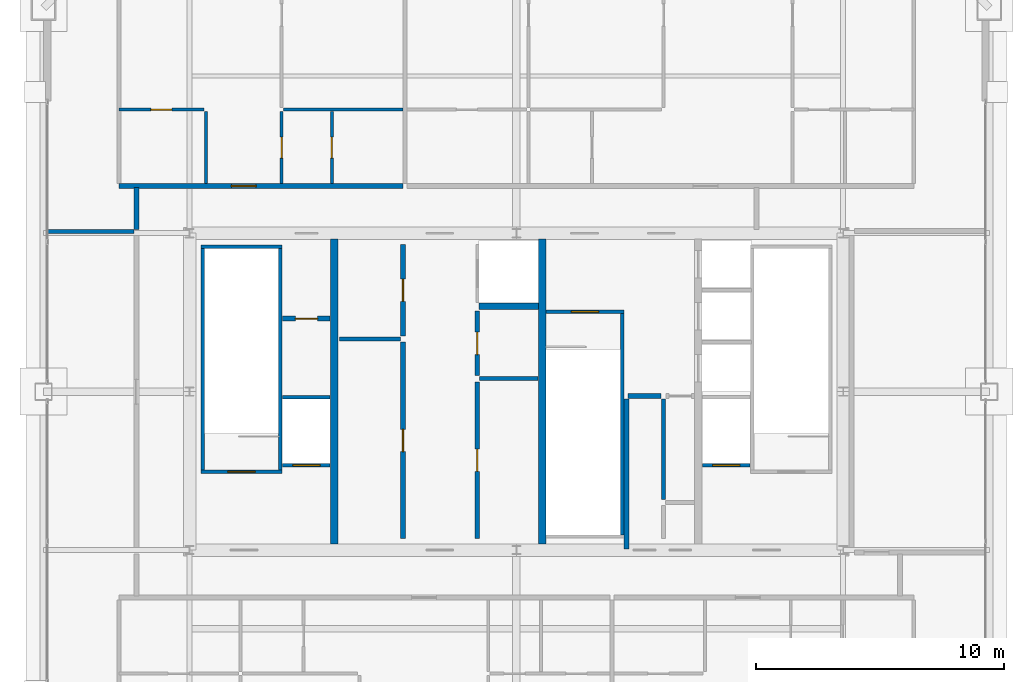
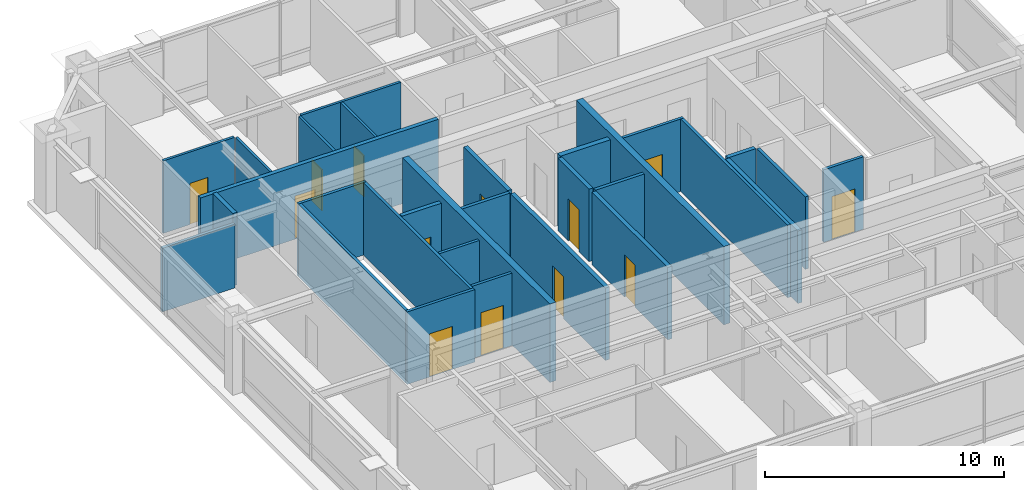
# One storey, part 31 of 34: 30 walls, 13 doors, 13 openings.
"""IFC4 building model written with IfcOpenShell, lengths in metres."""

from ifc_helpers import new_model, si_unit, direction, frame, frame_2d, origin, place, context, subcontext, project, spatial, rectangle, extrude, source, transform, mapped, material, layer, layer_set, type_object, element, fill, save


model = new_model("IFC4")

# Units and contexts
model_context = context("Model", 3, precision=1e-05, world=origin(), true_north=direction((0.0, 1.0)))
body_context = subcontext(model_context, "Body", "Model", "MODEL_VIEW")
ifc_project = project(units=[si_unit("LENGTHUNIT", "METRE"), si_unit("AREAUNIT", "SQUARE_METRE"), si_unit("VOLUMEUNIT", "CUBIC_METRE"), si_unit("PLANEANGLEUNIT", "RADIAN"), si_unit("MASSUNIT", "GRAM", prefix="KILO"), si_unit("THERMODYNAMICTEMPERATUREUNIT", "KELVIN"), si_unit("POWERUNIT", "WATT")], contexts=[model_context])

# Site, building, storey
site_placement = place(None, origin())
site = spatial("IfcSite", under=ifc_project, at=site_placement, CompositionType="ELEMENT")
building_placement = place(site_placement, origin())
building = spatial("IfcBuilding", under=site, at=building_placement, Name="Yuzanri Waterfront Tower", CompositionType="ELEMENT")
storey_placement = place(building_placement, frame((0.0, 0.0, 347.199951171875)))
storey = spatial("IfcBuildingStorey", under=building, at=storey_placement, Name="L93", CompositionType="ELEMENT", Elevation=347.199951171875)

# Wall, opening, door
ifc_material_1 = material(Name="Moisture-Resistant Gypsum Stud Wall", Category="gypsum")
ifc_layer_1 = layer(ifc_material_1, 0.1201171875)
ifc_layer_set_1 = layer_set([ifc_layer_1], Name="Moisture-Resistant Gypsum Stud Wall")
wall_type_1 = type_object("IfcWallType", Name="Bathroom and Kitchen Wet Partition 120", PredefinedType="PARTITIONING", material=ifc_layer_set_1)
wall_1_placement = place(storey_placement, frame((20.93994140625, 37.18994140625, 0.0), z_axis=(0.0, 0.0, 1.0), x_axis=(1.0, 0.0, 0.0)))
wall_1 = element("IfcWall", 1, at=wall_1_placement, inside=storey, type_object=wall_type_1, Name="L93 Partition UW-L93-HN1-SUB-1-N", PredefinedType="PARTITIONING", context=body_context, shape_type="SweptSolid", body=[
    extrude(rectangle(XDim=3.445068359375, YDim=0.1201171875, at=frame_2d((1.72265625, 0.0))), origin(), (0.0, 0.0, 1.0), 3.699951171875),
])
opening_1_placement = place(wall_1_placement, frame((1.297607421875, 0.0, 0.0)))
opening_1 = element("IfcOpeningElement", 2, at=opening_1_placement, cuts=wall_1, Name="Opening ID-0850", PredefinedType="OPENING", context=body_context, shape_type="SweptSolid", body=[
    extrude(rectangle(XDim=0.85009765625, YDim=2.10009765625, at=frame_2d((0.425048828125, 1.050048828125))), frame((0.0, 0.074951171875, 0.0), z_axis=(0.0, -1.0, 0.0), x_axis=(1.0, 0.0, 0.0)), (0.0, 0.0, 1.0), 0.14990234375),
])
ifc_material_2 = material(Name="Moisture-Resistant Lacquered Timber", Category="wood")
door_type_1 = type_object("IfcDoorType", Name="En-Suite Bathroom and Kitchen Swing Door 850x2100", OperationType="NOTDEFINED", PredefinedType="DOOR", material=ifc_material_2)
shared_shape_1 = source(origin(), body_context, "Body", "SweptSolid", [
    extrude(rectangle(XDim=0.85009765625, YDim=2.10009765625, at=frame_2d((0.425048828125, 1.050048828125))), frame((0.0, 0.02490234375, 0.0), z_axis=(0.0, -1.0, 0.0), x_axis=(1.0, 0.0, 0.0)), (0.0, 0.0, 1.0), 0.050048828125),
])
door_1_placement = place(opening_1_placement, origin())
door_1 = element("IfcDoor", 3, at=door_1_placement, inside=storey, type_object=door_type_1, Name="L93 Suite Interior Room Door", OperationType="SINGLE_SWING_RIGHT", OverallHeight=2.10009765625, OverallWidth=0.85009765625, PredefinedType="DOOR", context=body_context, shape_type="MappedRepresentation", body=[
    mapped(shared_shape_1, transform((0.0, 0.0, 0.0), scale=1.0)),
])
fill(opening_1, door_1)

wall_2_placement = place(storey_placement, frame((29.54296875, 34.2099609375, 0.0), z_axis=(0.0, 0.0, 1.0), x_axis=(0.0, 1.0, 0.0)))
wall_2 = element("IfcWall", 4, at=wall_2_placement, inside=storey, type_object=wall_type_1, Name="L93 Partition UW-L93-HN1-SUB-2-W", PredefinedType="PARTITIONING", context=body_context, shape_type="SweptSolid", body=[
    extrude(rectangle(XDim=2.900146484375, YDim=0.1201171875, at=frame_2d((1.4501953125, 0.0))), origin(), (0.0, 0.0, 1.0), 3.699951171875),
])
opening_2_placement = place(wall_2_placement, frame((1.02490234375, 0.0, 0.0)))
opening_2 = element("IfcOpeningElement", 5, at=opening_2_placement, cuts=wall_2, Name="Opening ID-0850", PredefinedType="OPENING", context=body_context, shape_type="SweptSolid", body=[
    extrude(rectangle(XDim=0.85009765625, YDim=2.10009765625, at=frame_2d((0.425048828125, 1.050048828125))), frame((0.0, 0.074951171875, 0.0), z_axis=(0.0, -1.0, 0.0), x_axis=(1.0, 0.0, 0.0)), (0.0, 0.0, 1.0), 0.14990234375),
])
door_2_placement = place(opening_2_placement, origin())
door_2 = element("IfcDoor", 6, at=door_2_placement, inside=storey, type_object=door_type_1, Name="L93 Suite Interior Room Door", OperationType="SINGLE_SWING_LEFT", OverallHeight=2.10009765625, OverallWidth=0.85009765625, PredefinedType="DOOR", context=body_context, shape_type="MappedRepresentation", body=[
    mapped(shared_shape_1, transform((0.0, 0.0, 0.0), scale=1.0)),
])
fill(opening_2, door_2)

wall_3_placement = place(storey_placement, frame((27.52001953125, 34.2099609375, 0.0), z_axis=(0.0, 0.0, 1.0), x_axis=(0.0, 1.0, 0.0)))
wall_3 = element("IfcWall", 7, at=wall_3_placement, inside=storey, type_object=wall_type_1, Name="L93 Partition UW-L93-HN1-SUB-4-W", PredefinedType="PARTITIONING", context=body_context, shape_type="SweptSolid", body=[
    extrude(rectangle(XDim=2.900146484375, YDim=0.1201171875, at=frame_2d((1.4501953125, 0.0))), origin(), (0.0, 0.0, 1.0), 3.699951171875),
])
opening_3_placement = place(wall_3_placement, frame((1.02490234375, 0.0, 0.0)))
opening_3 = element("IfcOpeningElement", 8, at=opening_3_placement, cuts=wall_3, Name="Opening ID-0850", PredefinedType="OPENING", context=body_context, shape_type="SweptSolid", body=[
    extrude(rectangle(XDim=0.85009765625, YDim=2.10009765625, at=frame_2d((0.425048828125, 1.050048828125))), frame((0.0, 0.074951171875, 0.0), z_axis=(0.0, -1.0, 0.0), x_axis=(1.0, 0.0, 0.0)), (0.0, 0.0, 1.0), 0.14990234375),
])
door_3_placement = place(opening_3_placement, origin())
door_3 = element("IfcDoor", 9, at=door_3_placement, inside=storey, type_object=door_type_1, Name="L93 Suite Interior Room Door", OperationType="SINGLE_SWING_LEFT", OverallHeight=2.10009765625, OverallWidth=0.85009765625, PredefinedType="DOOR", context=body_context, shape_type="MappedRepresentation", body=[
    mapped(shared_shape_1, transform((0.0, 0.0, 0.0), scale=1.0)),
])
fill(opening_3, door_3)

ifc_material_3 = material(Name="Concrete C40", Category="concrete")
ifc_layer_2 = layer(ifc_material_3, 0.139892578125)
ifc_layer_set_2 = layer_set([ifc_layer_2], Name="Concrete C40")
wall_type_2 = type_object("IfcWallType", Name="Core Stair Liner and Hoistway Shaft Wall 140", PredefinedType="SOLIDWALL", material=ifc_layer_set_2)
wall_4_placement = place(storey_placement, frame((27.56005859375, 22.830078125, 0.0), z_axis=(0.0, 0.0, 1.0), x_axis=(1.0, 0.0, 0.0)))
wall_4 = element("IfcWall", 10, at=wall_4_placement, inside=storey, type_object=wall_type_2, Name="L93 Lift FL-01 Front Shaft Wall", PredefinedType="SOLIDWALL", context=body_context, shape_type="SweptSolid", body=[
    extrude(rectangle(XDim=1.919921875, YDim=0.139892578125, at=frame_2d((0.9599609375, 0.0))), origin(), (0.0, 0.0, 1.0), 3.699951171875),
])
opening_4_placement = place(wall_4_placement, frame((0.409912109375, 0.0, 0.0)))
opening_4 = element("IfcOpeningElement", 11, at=opening_4_placement, cuts=wall_4, Name="Opening LD-FL-01", PredefinedType="OPENING", context=body_context, shape_type="SweptSolid", body=[
    extrude(rectangle(XDim=1.10009765625, YDim=2.199951171875, at=frame_2d((0.550048828125, 1.10009765625))), frame((0.0, 0.0849609375, 0.0), z_axis=(0.0, -1.0, 0.0), x_axis=(1.0, 0.0, 0.0)), (0.0, 0.0, 1.0), 0.169677734375),
])
ifc_material_4 = material(Name="Brushed Bronze and Stainless Steel Cab", Category="steel")
door_type_2 = type_object("IfcDoorType", Name="Center-Parting Bronze Lift Landing Sliding Door 1100x2200", OperationType="NOTDEFINED", PredefinedType="DOOR", material=ifc_material_4)
shared_shape_2 = source(origin(), body_context, "Body", "SweptSolid", [
    extrude(rectangle(XDim=1.10009765625, YDim=2.199951171875, at=frame_2d((0.550048828125, 1.10009765625))), frame((0.0, 0.02490234375, 0.0), z_axis=(0.0, -1.0, 0.0), x_axis=(1.0, 0.0, 0.0)), (0.0, 0.0, 1.0), 0.050048828125),
])
door_4_placement = place(opening_4_placement, origin())
door_4 = element("IfcDoor", 12, at=door_4_placement, inside=storey, type_object=door_type_2, Name="L93 FL-01 Lift Landing Sliding Door", OperationType="SLIDING_TO_LEFT", OverallHeight=2.199951171875, OverallWidth=1.10009765625, PredefinedType="DOOR", context=body_context, shape_type="MappedRepresentation", body=[
    mapped(shared_shape_2, transform((0.0, 0.0, 0.0), scale=1.0)),
])
fill(opening_4, door_4)

wall_5_placement = place(storey_placement, frame((44.52001953125, 22.830078125, 0.0), z_axis=(0.0, 0.0, 1.0), x_axis=(1.0, 0.0, 0.0)))
wall_5 = element("IfcWall", 13, at=wall_5_placement, inside=storey, type_object=wall_type_2, Name="L93 Lift FL-02 Front Shaft Wall", PredefinedType="SOLIDWALL", context=body_context, shape_type="SweptSolid", body=[
    extrude(rectangle(XDim=1.919921875, YDim=0.139892578125, at=frame_2d((0.9599609375, 0.0))), origin(), (0.0, 0.0, 1.0), 3.699951171875),
])
opening_5_placement = place(wall_5_placement, frame((0.409912109375, 0.0, 0.0)))
opening_5 = element("IfcOpeningElement", 14, at=opening_5_placement, cuts=wall_5, Name="Opening LD-FL-02", PredefinedType="OPENING", context=body_context, shape_type="SweptSolid", body=[
    extrude(rectangle(XDim=1.10009765625, YDim=2.199951171875, at=frame_2d((0.550048828125, 1.10009765625))), frame((0.0, 0.0849609375, 0.0), z_axis=(0.0, -1.0, 0.0), x_axis=(1.0, 0.0, 0.0)), (0.0, 0.0, 1.0), 0.169677734375),
])
door_5_placement = place(opening_5_placement, origin())
door_5 = element("IfcDoor", 15, at=door_5_placement, inside=storey, type_object=door_type_2, Name="L93 FL-02 Lift Landing Sliding Door", OperationType="SLIDING_TO_RIGHT", OverallHeight=2.199951171875, OverallWidth=1.10009765625, PredefinedType="DOOR", context=body_context, shape_type="MappedRepresentation", body=[
    mapped(shared_shape_2, transform((0.0, 0.0, 0.0), scale=1.0)),
])
fill(opening_5, door_5)

wall_6_placement = place(storey_placement, frame((24.260009765625, 22.570068359375, 0.0), z_axis=(0.0, 0.0, 1.0), x_axis=(1.0, 0.0, 0.0)))
wall_6 = element("IfcWall", 16, at=wall_6_placement, inside=storey, type_object=wall_type_2, Name="L93 Shaft Wall STW-L93-ST-01-S", PredefinedType="SOLIDWALL", context=body_context, shape_type="SweptSolid", body=[
    extrude(rectangle(XDim=3.280029296875, YDim=0.139892578125, at=frame_2d((1.64013671875, 0.0))), origin(), (0.0, 0.0, 1.0), 3.699951171875),
])
opening_6_placement = place(wall_6_placement, frame((1.090087890625, 0.0, 0.0)))
opening_6 = element("IfcOpeningElement", 17, at=opening_6_placement, cuts=wall_6, Name="Opening FD-1100", PredefinedType="OPENING", context=body_context, shape_type="SweptSolid", body=[
    extrude(rectangle(XDim=1.10009765625, YDim=2.199951171875, at=frame_2d((0.550048828125, 1.10009765625))), frame((0.0, 0.0849609375, 0.0), z_axis=(0.0, -1.0, 0.0), x_axis=(1.0, 0.0, 0.0)), (0.0, 0.0, 1.0), 0.169677734375),
])
ifc_material_5 = material(Name="Painted Galvanized Fire Steel", Category="steel")
door_type_3 = type_object("IfcDoorType", Name="Smoke-Proof Stair and Lobby Fire Door 1100x2200", OperationType="NOTDEFINED", PredefinedType="DOOR", material=ifc_material_5)
shared_shape_3 = source(origin(), body_context, "Body", "SweptSolid", [
    extrude(rectangle(XDim=1.10009765625, YDim=2.199951171875, at=frame_2d((0.550048828125, 1.10009765625))), frame((0.0, 0.02490234375, 0.0), z_axis=(0.0, -1.0, 0.0), x_axis=(1.0, 0.0, 0.0)), (0.0, 0.0, 1.0), 0.050048828125),
])
door_6_placement = place(opening_6_placement, origin())
door_6 = element("IfcDoor", 18, at=door_6_placement, inside=storey, type_object=door_type_3, Name="L93 Stair ST-01 Fire Door", OperationType="SINGLE_SWING_RIGHT", OverallHeight=2.199951171875, OverallWidth=1.10009765625, PredefinedType="DOOR", context=body_context, shape_type="MappedRepresentation", body=[
    mapped(shared_shape_3, transform((0.0, 0.0, 0.0), scale=1.0)),
])
fill(opening_6, door_6)

wall_7_placement = place(storey_placement, frame((38.199951171875, 29.030029296875, 0.0), z_axis=(0.0, 0.0, 1.0), x_axis=(1.0, 0.0, 0.0)))
wall_7 = element("IfcWall", 19, at=wall_7_placement, inside=storey, type_object=wall_type_2, Name="L93 Shaft Wall STW-L93-ST-03-N", PredefinedType="SOLIDWALL", context=body_context, shape_type="SweptSolid", body=[
    extrude(rectangle(XDim=3.14013671875, YDim=0.139892578125, at=frame_2d((1.570068359375, 0.0))), origin(), (0.0, 0.0, 1.0), 3.699951171875),
])
opening_7_placement = place(wall_7_placement, frame((1.02001953125, 0.0, 0.0)))
opening_7 = element("IfcOpeningElement", 20, at=opening_7_placement, cuts=wall_7, Name="Opening FD-1100", PredefinedType="OPENING", context=body_context, shape_type="SweptSolid", body=[
    extrude(rectangle(XDim=1.10009765625, YDim=2.199951171875, at=frame_2d((0.550048828125, 1.10009765625))), frame((0.0, 0.0849609375, 0.0), z_axis=(0.0, -1.0, 0.0), x_axis=(1.0, 0.0, 0.0)), (0.0, 0.0, 1.0), 0.169677734375),
])
door_7_placement = place(opening_7_placement, origin())
door_7 = element("IfcDoor", 21, at=door_7_placement, inside=storey, type_object=door_type_3, Name="L93 Stair ST-03 Fire Door", OperationType="SINGLE_SWING_RIGHT", OverallHeight=2.199951171875, OverallWidth=1.10009765625, PredefinedType="DOOR", context=body_context, shape_type="MappedRepresentation", body=[
    mapped(shared_shape_3, transform((0.0, 0.0, 0.0), scale=1.0)),
])
fill(opening_7, door_7)

ifc_material_6 = material(Name="Autoclaved Aerated Concrete Blockwork", Category="masonry")
ifc_layer_3 = layer(ifc_material_6, 0.199951171875)
ifc_layer_set_3 = layer_set([ifc_layer_3], Name="Autoclaved Aerated Concrete Blockwork")
wall_type_3 = type_object("IfcWallType", Name="Corridor and Unit Party Fire Wall 200", PredefinedType="PARTITIONING", material=ifc_layer_set_3)
wall_8_placement = place(storey_placement, frame((27.56005859375, 28.75, 0.0), z_axis=(0.0, 0.0, 1.0), x_axis=(1.0, 0.0, 0.0)))
wall_8 = element("IfcWall", 22, at=wall_8_placement, inside=storey, type_object=wall_type_3, Name="L93 Partition CRW-L93-ERTR", PredefinedType="PARTITIONING", context=body_context, shape_type="SweptSolid", body=[
    extrude(rectangle(XDim=1.919921875, YDim=0.199951171875, at=frame_2d((0.9599609375, 0.0))), origin(), (0.0, 0.0, 1.0), 3.699951171875),
])
opening_8_placement = place(wall_8_placement, frame((0.510009765625, 0.0, 0.0)))
opening_8 = element("IfcOpeningElement", 23, at=opening_8_placement, cuts=wall_8, Name="Opening FD-0900", PredefinedType="OPENING", context=body_context, shape_type="SweptSolid", body=[
    extrude(rectangle(XDim=0.89990234375, YDim=2.14990234375, at=frame_2d((0.449951171875, 1.074951171875))), frame((0.0, 0.11474609375, 0.0), z_axis=(0.0, -1.0, 0.0), x_axis=(1.0, 0.0, 0.0)), (0.0, 0.0, 1.0), 0.229736328125),
])
ifc_material_7 = material(Name="Painted Galvanized Fire Steel", Category="steel")
door_type_4 = type_object("IfcDoorType", Name="Riser and Service Room Fire Door 900x2150", OperationType="NOTDEFINED", PredefinedType="DOOR", material=ifc_material_7)
shared_shape_4 = source(origin(), body_context, "Body", "SweptSolid", [
    extrude(rectangle(XDim=0.89990234375, YDim=2.14990234375, at=frame_2d((0.449951171875, 1.074951171875))), frame((0.0, 0.02490234375, 0.0), z_axis=(0.0, -1.0, 0.0), x_axis=(1.0, 0.0, 0.0)), (0.0, 0.0, 1.0), 0.050048828125),
])
door_8_placement = place(opening_8_placement, origin())
door_8 = element("IfcDoor", 24, at=door_8_placement, inside=storey, type_object=door_type_4, Name="L93 Electrical Riser Door", OperationType="SINGLE_SWING_RIGHT", OverallHeight=2.14990234375, OverallWidth=0.89990234375, PredefinedType="DOOR", context=body_context, shape_type="MappedRepresentation", body=[
    mapped(shared_shape_4, transform((0.0, 0.0, 0.0), scale=1.0)),
])
fill(opening_8, door_8)

wall_9_placement = place(storey_placement, frame((32.419921875, 19.860107421875, 0.0), z_axis=(0.0, 0.0, 1.0), x_axis=(0.0, 1.0, 0.0)))
wall_9 = element("IfcWall", 25, at=wall_9_placement, inside=storey, type_object=wall_type_3, Name="L93 Partition CRW-L93-B1R-1", PredefinedType="PARTITIONING", context=body_context, shape_type="SweptSolid", body=[
    extrude(rectangle(XDim=7.93994140625, YDim=0.199951171875, at=frame_2d((3.969970703125, 0.0))), origin(), (0.0, 0.0, 1.0), 3.699951171875),
])
opening_9_placement = place(wall_9_placement, frame((3.52001953125, 0.0, 0.0)))
opening_9 = element("IfcOpeningElement", 26, at=opening_9_placement, cuts=wall_9, Name="Opening FD-0900", PredefinedType="OPENING", context=body_context, shape_type="SweptSolid", body=[
    extrude(rectangle(XDim=0.89990234375, YDim=2.14990234375, at=frame_2d((0.449951171875, 1.074951171875))), frame((0.0, 0.11474609375, 0.0), z_axis=(0.0, -1.0, 0.0), x_axis=(1.0, 0.0, 0.0)), (0.0, 0.0, 1.0), 0.229736328125),
])
door_9_placement = place(opening_9_placement, origin())
door_9 = element("IfcDoor", 27, at=door_9_placement, inside=storey, type_object=door_type_4, Name="L93 General Store Room", OperationType="SINGLE_SWING_LEFT", OverallHeight=2.14990234375, OverallWidth=0.89990234375, PredefinedType="DOOR", context=body_context, shape_type="MappedRepresentation", body=[
    mapped(shared_shape_4, transform((0.0, 0.0, 0.0), scale=1.0)),
])
fill(opening_9, door_9)

wall_10_placement = place(storey_placement, frame((32.419921875, 28.050048828125, 0.0), z_axis=(0.0, 0.0, 1.0), x_axis=(0.0, 1.0, 0.0)))
wall_10 = element("IfcWall", 28, at=wall_10_placement, inside=storey, type_object=wall_type_3, Name="L93 Partition CRW-L93-B1R-2", PredefinedType="PARTITIONING", context=body_context, shape_type="SweptSolid", body=[
    extrude(rectangle(XDim=3.68994140625, YDim=0.199951171875, at=frame_2d((1.844970703125, 0.0))), origin(), (0.0, 0.0, 1.0), 3.699951171875),
])
opening_10_placement = place(wall_10_placement, frame((1.39501953125, 0.0, 0.0)))
opening_10 = element("IfcOpeningElement", 29, at=opening_10_placement, cuts=wall_10, Name="Opening FD-0900", PredefinedType="OPENING", context=body_context, shape_type="SweptSolid", body=[
    extrude(rectangle(XDim=0.89990234375, YDim=2.14990234375, at=frame_2d((0.449951171875, 1.074951171875))), frame((0.0, 0.11474609375, 0.0), z_axis=(0.0, -1.0, 0.0), x_axis=(1.0, 0.0, 0.0)), (0.0, 0.0, 1.0), 0.229736328125),
])
door_10_placement = place(opening_10_placement, origin())
door_10 = element("IfcDoor", 30, at=door_10_placement, inside=storey, type_object=door_type_4, Name="L93 Water Riser Shaft", OperationType="SINGLE_SWING_RIGHT", OverallHeight=2.14990234375, OverallWidth=0.89990234375, PredefinedType="DOOR", context=body_context, shape_type="MappedRepresentation", body=[
    mapped(shared_shape_4, transform((0.0, 0.0, 0.0), scale=1.0)),
])
fill(opening_10, door_10)

wall_11_placement = place(storey_placement, frame((35.419921875, 19.860107421875, 0.0), z_axis=(0.0, 0.0, 1.0), x_axis=(0.0, 1.0, 0.0)))
wall_11 = element("IfcWall", 31, at=wall_11_placement, inside=storey, type_object=wall_type_3, Name="L93 Partition CRW-L93-B2R-1", PredefinedType="PARTITIONING", context=body_context, shape_type="SweptSolid", body=[
    extrude(rectangle(XDim=6.33984375, YDim=0.199951171875, at=frame_2d((3.169921875, 0.0))), origin(), (0.0, 0.0, 1.0), 3.699951171875),
])
opening_11_placement = place(wall_11_placement, frame((2.719970703125, 0.0, 0.0)))
opening_11 = element("IfcOpeningElement", 32, at=opening_11_placement, cuts=wall_11, Name="Opening FD-0900", PredefinedType="OPENING", context=body_context, shape_type="SweptSolid", body=[
    extrude(rectangle(XDim=0.89990234375, YDim=2.14990234375, at=frame_2d((0.449951171875, 1.074951171875))), frame((0.0, 0.11474609375, 0.0), z_axis=(0.0, -1.0, 0.0), x_axis=(1.0, 0.0, 0.0)), (0.0, 0.0, 1.0), 0.229736328125),
])
door_11_placement = place(opening_11_placement, origin())
door_11 = element("IfcDoor", 33, at=door_11_placement, inside=storey, type_object=door_type_4, Name="L93 Upper Service Store Room", OperationType="SINGLE_SWING_LEFT", OverallHeight=2.14990234375, OverallWidth=0.89990234375, PredefinedType="DOOR", context=body_context, shape_type="MappedRepresentation", body=[
    mapped(shared_shape_4, transform((0.0, 0.0, 0.0), scale=1.0)),
])
fill(opening_11, door_11)

wall_12_placement = place(storey_placement, frame((35.419921875, 26.449951171875, 0.0), z_axis=(0.0, 0.0, 1.0), x_axis=(0.0, 1.0, 0.0)))
wall_12 = element("IfcWall", 34, at=wall_12_placement, inside=storey, type_object=wall_type_3, Name="L93 Partition CRW-L93-B2R-2", PredefinedType="PARTITIONING", context=body_context, shape_type="SweptSolid", body=[
    extrude(rectangle(XDim=2.60009765625, YDim=0.199951171875, at=frame_2d((1.300048828125, 0.0))), origin(), (0.0, 0.0, 1.0), 3.699951171875),
])
opening_12_placement = place(wall_12_placement, frame((0.85009765625, 0.0, 0.0)))
opening_12 = element("IfcOpeningElement", 35, at=opening_12_placement, cuts=wall_12, Name="Opening FD-0900", PredefinedType="OPENING", context=body_context, shape_type="SweptSolid", body=[
    extrude(rectangle(XDim=0.89990234375, YDim=2.14990234375, at=frame_2d((0.449951171875, 1.074951171875))), frame((0.0, 0.11474609375, 0.0), z_axis=(0.0, -1.0, 0.0), x_axis=(1.0, 0.0, 0.0)), (0.0, 0.0, 1.0), 0.229736328125),
])
door_12_placement = place(opening_12_placement, origin())
door_12 = element("IfcDoor", 36, at=door_12_placement, inside=storey, type_object=door_type_4, Name="L93 Meter and Valve Store Room", OperationType="SINGLE_SWING_RIGHT", OverallHeight=2.14990234375, OverallWidth=0.89990234375, PredefinedType="DOOR", context=body_context, shape_type="MappedRepresentation", body=[
    mapped(shared_shape_4, transform((0.0, 0.0, 0.0), scale=1.0)),
])
fill(opening_12, door_12)

wall_13_placement = place(storey_placement, frame((20.93994140625, 34.110107421875, 0.0), z_axis=(0.0, 0.0, 1.0), x_axis=(1.0, 0.0, 0.0)))
wall_13 = element("IfcWall", 37, at=wall_13_placement, inside=storey, type_object=wall_type_3, Name="L93 Partition UW-L93-HN1-CS", PredefinedType="PARTITIONING", context=body_context, shape_type="SweptSolid", body=[
    extrude(rectangle(XDim=11.483154296875, YDim=0.199951171875, at=frame_2d((5.74169921875, 0.0))), origin(), (0.0, 0.0, 1.0), 3.699951171875),
])
opening_13_placement = place(wall_13_placement, frame((4.552001953125, 0.0, 0.0)))
opening_13 = element("IfcOpeningElement", 38, at=opening_13_placement, cuts=wall_13, Name="Opening FD-1000", PredefinedType="OPENING", context=body_context, shape_type="SweptSolid", body=[
    extrude(rectangle(XDim=1.0, YDim=2.199951171875, at=frame_2d((0.5, 1.10009765625))), frame((0.0, 0.11474609375, 0.0), z_axis=(0.0, -1.0, 0.0), x_axis=(1.0, 0.0, 0.0)), (0.0, 0.0, 1.0), 0.229736328125),
])
ifc_material_8 = material(Name="Engineered Oak Fire-Rated Timber", Category="wood")
door_type_5 = type_object("IfcDoorType", Name="Guestroom and Apartment Entrance Fire Door 1000x2200", OperationType="NOTDEFINED", PredefinedType="DOOR", material=ifc_material_8)
shared_shape_5 = source(origin(), body_context, "Body", "SweptSolid", [
    extrude(rectangle(XDim=1.0, YDim=2.199951171875, at=frame_2d((0.5, 1.10009765625))), frame((0.0, 0.02490234375, 0.0), z_axis=(0.0, -1.0, 0.0), x_axis=(1.0, 0.0, 0.0)), (0.0, 0.0, 1.0), 0.050048828125),
])
door_13_placement = place(opening_13_placement, origin())
door_13 = element("IfcDoor", 39, at=door_13_placement, inside=storey, type_object=door_type_5, Name="L93 Apartment Living Room Entrance Door", OperationType="SINGLE_SWING_LEFT", OverallHeight=2.199951171875, OverallWidth=1.0, PredefinedType="DOOR", context=body_context, shape_type="MappedRepresentation", body=[
    mapped(shared_shape_5, transform((0.0, 0.0, 0.0), scale=1.0)),
])
fill(opening_13, door_13)

# Walls
ifc_material_9 = material(Name="Concrete C50", Category="concrete")
ifc_layer_4 = layer(ifc_material_9, 0.300048828125)
ifc_layer_set_4 = layer_set([ifc_layer_4], Name="Concrete C50")
wall_type_4 = type_object("IfcWallType", Name="Concrete C50 Internal Core Shaft Structural Wall 300", PredefinedType="SOLIDWALL", material=ifc_layer_set_4)
shared_shape_6 = source(origin(), body_context, "Body", "SweptSolid", [
    extrude(rectangle(XDim=12.320068359375, YDim=0.300048828125, at=frame_2d((6.16015625, 0.0))), origin(), (0.0, 0.0, 1.0), 4.0),
])
for number, where, z_axis, x_axis, name in (
    (40, (29.64990234375, 19.639892578125, 0.0), (0.0, 0.0, 1.0), (0.0, 1.0, 0.0), "L93 Core Internal Structural Web Wall 1"),
    (41, (38.050048828125, 19.639892578125, 0.0), (0.0, 0.0, 1.0), (0.0, 1.0, 0.0), "L93 Core Internal Structural Web Wall 2"),
):
    element("IfcWall", number, at=place(storey_placement, frame(where, z_axis=z_axis, x_axis=x_axis)), inside=storey, type_object=wall_type_4, Name=name, PredefinedType="SOLIDWALL", context=body_context, shape_type="MappedRepresentation", body=[
        mapped(shared_shape_6, transform((0.0, 0.0, 0.0), scale=1.0)),
    ])
shared_shape_7 = source(origin(), body_context, "Body", "SweptSolid", [
    extrude(rectangle(XDim=1.919921875, YDim=0.139892578125, at=frame_2d((0.9599609375, 0.0))), origin(), (0.0, 0.0, 1.0), 3.699951171875),
])
wall_14_placement = place(storey_placement, frame((27.56005859375, 25.570068359375, 0.0), z_axis=(0.0, 0.0, 1.0), x_axis=(1.0, 0.0, 0.0)))
element("IfcWall", 42, at=wall_14_placement, inside=storey, type_object=wall_type_2, Name="L93 Lift FL-01 Back Shaft Wall", PredefinedType="SOLIDWALL", context=body_context, shape_type="MappedRepresentation", body=[
    mapped(shared_shape_7, transform((0.0, 0.0, 0.0), scale=1.0)),
])
ifc_material_10 = material(Name="Concrete C40", Category="concrete")
ifc_layer_5 = layer(ifc_material_10, 0.25)
ifc_layer_set_5 = layer_set([ifc_layer_5], Name="Concrete C40")
wall_type_5 = type_object("IfcWallType", Name="Smoke-Proof Stair and Lift Shaft Wall 250", PredefinedType="SOLIDWALL", material=ifc_layer_set_5)
shared_shape_8 = source(origin(), body_context, "Body", "SweptSolid", [
    extrude(rectangle(XDim=2.39990234375, YDim=0.25, at=frame_2d((1.199951171875, 0.0))), origin(), (0.0, 0.0, 1.0), 3.699951171875),
])
wall_15_placement = place(storey_placement, frame((35.5, 29.25, 0.0), z_axis=(0.0, 0.0, 1.0), x_axis=(1.0, 0.0, 0.0)))
element("IfcWall", 43, at=wall_15_placement, inside=storey, type_object=wall_type_5, Name="L93 Lift SL-02 South Shaft Wall", PredefinedType="SOLIDWALL", context=body_context, shape_type="MappedRepresentation", body=[
    mapped(shared_shape_8, transform((0.0, 0.0, 0.0), scale=1.0)),
])
shared_shape_9 = source(origin(), body_context, "Body", "SweptSolid", [
    extrude(rectangle(XDim=3.280029296875, YDim=0.139892578125, at=frame_2d((1.64013671875, 0.0))), origin(), (0.0, 0.0, 1.0), 3.699951171875),
])
wall_16_placement = place(storey_placement, frame((24.260009765625, 31.64990234375, 0.0), z_axis=(0.0, 0.0, 1.0), x_axis=(1.0, 0.0, 0.0)))
element("IfcWall", 44, at=wall_16_placement, inside=storey, type_object=wall_type_2, Name="L93 Stair ST-01 North Shaft Wall", PredefinedType="SOLIDWALL", context=body_context, shape_type="MappedRepresentation", body=[
    mapped(shared_shape_9, transform((0.0, 0.0, 0.0), scale=1.0)),
])
shared_shape_10 = source(origin(), body_context, "Body", "SweptSolid", [
    extrude(rectangle(XDim=8.940185546875, YDim=0.139892578125, at=frame_2d((4.47021484375, 0.0))), origin(), (0.0, 0.0, 1.0), 3.699951171875),
])
for number, where, z_axis, x_axis, name in (
    (45, (24.330078125, 22.639892578125, 0.0), (0.0, 0.0, 1.0), (0.0, 1.0, 0.0), "L93 Stair ST-01 West Shaft Wall"),
    (46, (27.469970703125, 22.639892578125, 0.0), (0.0, 0.0, 1.0), (0.0, 1.0, 0.0), "L93 Stair ST-01 East Shaft Wall"),
):
    element("IfcWall", number, at=place(storey_placement, frame(where, z_axis=z_axis, x_axis=x_axis)), inside=storey, type_object=wall_type_2, Name=name, PredefinedType="SOLIDWALL", context=body_context, shape_type="MappedRepresentation", body=[
        mapped(shared_shape_10, transform((0.0, 0.0, 0.0), scale=1.0)),
    ])
shared_shape_11 = source(origin(), body_context, "Body", "SweptSolid", [
    extrude(rectangle(XDim=8.93994140625, YDim=0.139892578125, at=frame_2d((4.469970703125, 0.0))), origin(), (0.0, 0.0, 1.0), 3.699951171875),
])
wall_17_placement = place(storey_placement, frame((41.27001953125, 20.02001953125, 0.0), z_axis=(0.0, 0.0, 1.0), x_axis=(0.0, 1.0, 0.0)))
element("IfcWall", 47, at=wall_17_placement, inside=storey, type_object=wall_type_2, Name="L93 Stair ST-03 East Shaft Wall", PredefinedType="SOLIDWALL", context=body_context, shape_type="MappedRepresentation", body=[
    mapped(shared_shape_11, transform((0.0, 0.0, 0.0), scale=1.0)),
])
ifc_material_11 = material(Name="Gypsum Fireboard Acoustic Stud Wall", Category="gypsum")
ifc_layer_6 = layer(ifc_material_11, 0.159912109375)
ifc_layer_set_6 = layer_set([ifc_layer_6], Name="Gypsum Fireboard Acoustic Stud Wall")
wall_type_6 = type_object("IfcWallType", Name="Acoustic Suite Demising Partition 160", PredefinedType="PARTITIONING", material=ifc_layer_set_6)
shared_shape_12 = source(origin(), body_context, "Body", "SweptSolid", [
    extrude(rectangle(XDim=2.469970703125, YDim=0.159912109375, at=frame_2d((1.23486328125, 0.0))), origin(), (0.0, 0.0, 1.0), 3.699951171875),
])
wall_18_placement = place(storey_placement, frame((29.85009765625, 27.929931640625, 0.0), z_axis=(0.0, 0.0, 1.0), x_axis=(1.0, 0.0, 0.0)))
element("IfcWall", 48, at=wall_18_placement, inside=storey, type_object=wall_type_6, Name="L93 Reclaimed Core Divider 2", PredefinedType="PARTITIONING", context=body_context, shape_type="MappedRepresentation", body=[
    mapped(shared_shape_12, transform((0.0, 0.0, 0.0), scale=1.0)),
])
shared_shape_13 = source(origin(), body_context, "Body", "SweptSolid", [
    extrude(rectangle(XDim=2.35986328125, YDim=0.159912109375, at=frame_2d((1.179931640625, 0.0))), origin(), (0.0, 0.0, 1.0), 3.699951171875),
])
wall_19_placement = place(storey_placement, frame((35.52001953125, 26.330078125, 0.0), z_axis=(0.0, 0.0, 1.0), x_axis=(1.0, 0.0, 0.0)))
element("IfcWall", 49, at=wall_19_placement, inside=storey, type_object=wall_type_6, Name="L93 Reclaimed High-Zone Divider 2", PredefinedType="PARTITIONING", context=body_context, shape_type="MappedRepresentation", body=[
    mapped(shared_shape_13, transform((0.0, 0.0, 0.0), scale=1.0)),
])
shared_shape_14 = source(origin(), body_context, "Body", "SweptSolid", [
    extrude(rectangle(XDim=6.06005859375, YDim=0.199951171875, at=frame_2d((3.030029296875, 0.0))), origin(), (0.0, 0.0, 1.0), 3.699951171875),
])
wall_20_placement = place(storey_placement, frame((41.449951171875, 19.43994140625, 0.0), z_axis=(0.0, 0.0, 1.0), x_axis=(0.0, 1.0, 0.0)))
element("IfcWall", 50, at=wall_20_placement, inside=storey, type_object=wall_type_3, Name="L93 Core BOH West Wall 1", PredefinedType="PARTITIONING", context=body_context, shape_type="MappedRepresentation", body=[
    mapped(shared_shape_14, transform((0.0, 0.0, 0.0), scale=1.0)),
])
shared_shape_15 = source(origin(), body_context, "Body", "SweptSolid", [
    extrude(rectangle(XDim=1.35009765625, YDim=0.199951171875, at=frame_2d((0.675048828125, 0.0))), origin(), (0.0, 0.0, 1.0), 3.699951171875),
])
wall_21_placement = place(storey_placement, frame((41.5, 25.6201171875, 0.0), z_axis=(0.0, 0.0, 1.0), x_axis=(1.0, 0.0, 0.0)))
element("IfcWall", 51, at=wall_21_placement, inside=storey, type_object=wall_type_3, Name="L93 Core BOH Split Wall 1", PredefinedType="PARTITIONING", context=body_context, shape_type="MappedRepresentation", body=[
    mapped(shared_shape_15, transform((0.0, 0.0, 0.0), scale=1.0)),
])
shared_shape_16 = source(origin(), body_context, "Body", "SweptSolid", [
    extrude(rectangle(XDim=4.06005859375, YDim=0.159912109375, at=frame_2d((2.030029296875, 0.0))), origin(), (0.0, 0.0, 1.0), 3.699951171875),
])
wall_22_placement = place(storey_placement, frame((42.949951171875, 21.43994140625, 0.0), z_axis=(0.0, 0.0, 1.0), x_axis=(0.0, 1.0, 0.0)))
element("IfcWall", 52, at=wall_22_placement, inside=storey, type_object=wall_type_6, Name="L93 Core BOH Mid Wall 2", PredefinedType="PARTITIONING", context=body_context, shape_type="MappedRepresentation", body=[
    mapped(shared_shape_16, transform((0.0, 0.0, 0.0), scale=1.0)),
])
shared_shape_17 = source(origin(), body_context, "Body", "SweptSolid", [
    extrude(rectangle(XDim=1.699951171875, YDim=0.199951171875, at=frame_2d((0.85009765625, 0.0))), origin(), (0.0, 0.0, 1.0), 3.699951171875),
])
wall_23_placement = place(storey_placement, frame((21.64990234375, 32.35009765625, 0.0), z_axis=(0.0, 0.0, 1.0), x_axis=(0.0, 1.0, 0.0)))
element("IfcWall", 53, at=wall_23_placement, inside=storey, type_object=wall_type_3, Name="L93 North Foyer West End Wall", PredefinedType="PARTITIONING", context=body_context, shape_type="MappedRepresentation", body=[
    mapped(shared_shape_17, transform((0.0, 0.0, 0.0), scale=1.0)),
])
shared_shape_18 = source(origin(), body_context, "Body", "SweptSolid", [
    extrude(rectangle(XDim=2.900146484375, YDim=0.1201171875, at=frame_2d((1.4501953125, 0.0))), origin(), (0.0, 0.0, 1.0), 3.699951171875),
])
wall_24_placement = place(storey_placement, frame((24.465087890625, 34.2099609375, 0.0), z_axis=(0.0, 0.0, 1.0), x_axis=(0.0, 1.0, 0.0)))
element("IfcWall", 54, at=wall_24_placement, inside=storey, type_object=wall_type_1, Name="L93 Partition UW-L93-HN1-SUB-1-E", PredefinedType="PARTITIONING", context=body_context, shape_type="MappedRepresentation", body=[
    mapped(shared_shape_18, transform((0.0, 0.0, 0.0), scale=1.0)),
])
shared_shape_19 = source(origin(), body_context, "Body", "SweptSolid", [
    extrude(rectangle(XDim=4.822998046875, YDim=0.1201171875, at=frame_2d((2.41162109375, 0.0))), origin(), (0.0, 0.0, 1.0), 3.699951171875),
])
wall_25_placement = place(storey_placement, frame((27.60009765625, 37.18994140625, 0.0), z_axis=(0.0, 0.0, 1.0), x_axis=(1.0, 0.0, 0.0)))
element("IfcWall", 55, at=wall_25_placement, inside=storey, type_object=wall_type_1, Name="L93 Partition UW-L93-HN1-SUB-3-S", PredefinedType="PARTITIONING", context=body_context, shape_type="MappedRepresentation", body=[
    mapped(shared_shape_19, transform((0.0, 0.0, 0.0), scale=1.0)),
])
shared_shape_20 = source(origin(), body_context, "Body", "SweptSolid", [
    extrude(rectangle(XDim=3.5, YDim=0.159912109375, at=frame_2d((1.75, 0.0))), origin(), (0.0, 0.0, 1.0), 3.2451171875),
])
wall_26_placement = place(storey_placement, frame((18.050048828125, 32.27001953125, 0.0), z_axis=(0.0, 0.0, 1.0), x_axis=(1.0, 0.0, 0.0)))
element("IfcWall", 56, at=wall_26_placement, inside=storey, type_object=wall_type_6, Name="L93-047 Wing North End Wall", PredefinedType="PARTITIONING", context=body_context, shape_type="MappedRepresentation", body=[
    mapped(shared_shape_20, transform((0.0, 0.0, 0.0), scale=1.0)),
])

save(model, "model.ifc")
